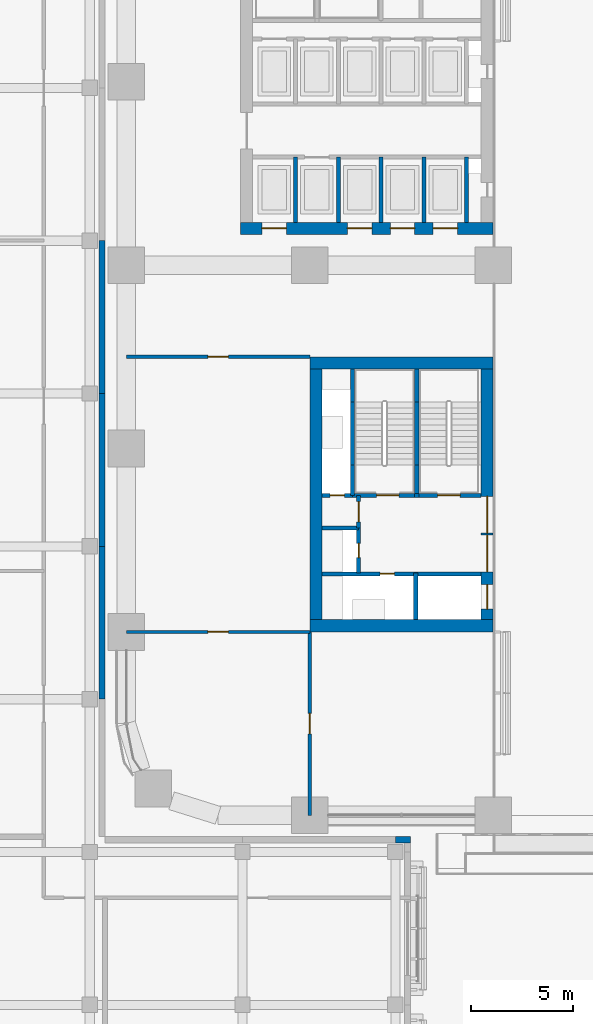
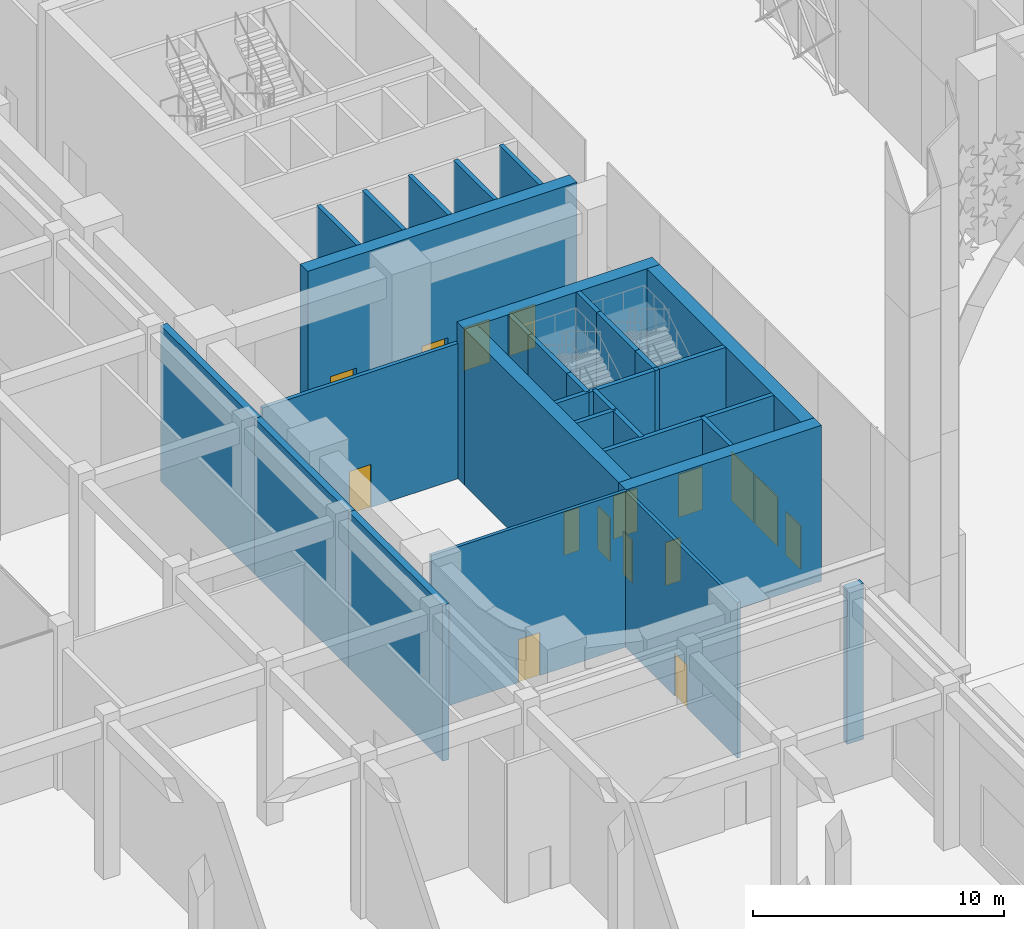
# One storey, part 31 of 64: 32 walls, 16 doors, 16 openings.
"""IFC4 building model written with IfcOpenShell, lengths in metres."""

from ifc_helpers import new_model, si_unit, direction, frame, frame_2d, origin, place, context, subcontext, project, spatial, rectangle, extrude, material, layer, layer_set, type_object, element, fill, save


model = new_model("IFC4")

# Units and contexts
model_context = context("Model", 3, precision=1e-05, world=origin(), true_north=direction((0.0, 1.0)))
body_context = subcontext(model_context, "Body", "Model", "MODEL_VIEW")
ifc_project = project(units=[si_unit("LENGTHUNIT", "METRE"), si_unit("AREAUNIT", "SQUARE_METRE"), si_unit("VOLUMEUNIT", "CUBIC_METRE"), si_unit("PLANEANGLEUNIT", "RADIAN"), si_unit("MASSUNIT", "GRAM", prefix="KILO")], contexts=[model_context])

# Site, building, storey
site_placement = place(None, origin())
site = spatial("IfcSite", under=ifc_project, at=site_placement, CompositionType="ELEMENT")
building_placement = place(site_placement, origin())
building = spatial("IfcBuilding", under=site, at=building_placement, Name="Tessera Arch", CompositionType="ELEMENT")
storey_placement = place(building_placement, origin())
storey = spatial("IfcBuildingStorey", under=building, at=storey_placement, Name="L00", CompositionType="ELEMENT", Elevation=0.0)

# Wall, opening, door
ifc_material_1 = material(Name="Gypsum board on steel stud", Category="steel")
ifc_layer_1 = layer(ifc_material_1, 0.125)
ifc_layer_set_1 = layer_set([ifc_layer_1], Name="Core partition 125 EI 60")
wall_type_1 = type_object("IfcWallType", Name="Core partition 125 EI 60", PredefinedType="PARTITIONING", material=ifc_layer_set_1)
wall_1_placement = place(storey_placement, frame((11.39990234375, 14.10009765625, 0.0), z_axis=(0.0, 0.0, 1.0), x_axis=(0.0, 1.0, 0.0)))
wall_1 = element("IfcWall", 1, at=wall_1_placement, inside=storey, type_object=wall_type_1, Name="L00 C4 partition wall 4", PredefinedType="PARTITIONING", context=body_context, shape_type="SweptSolid", body=[
    extrude(rectangle(XDim=1.599853515625, YDim=0.199951171875, at=frame_2d((0.7998046875, 0.0))), origin(), (0.0, 0.0, 1.0), 7.590087890625),
])
opening_1_placement = place(wall_1_placement, frame((0.300048828125, 0.0, 0.0)))
opening_1 = element("IfcOpeningElement", 2, at=opening_1_placement, cuts=wall_1, Name="Opening L00-C48", PredefinedType="OPENING", context=body_context, shape_type="SweptSolid", body=[
    extrude(rectangle(XDim=1.0, YDim=2.10009765625, at=frame_2d((0.5, 1.050048828125))), frame((0.0, 0.10986328125, 0.0), z_axis=(0.0, -1.0, 0.0), x_axis=(1.0, 0.0, 0.0)), (0.0, 0.0, 1.0), 0.219970703125),
])
ifc_material_2 = material(Name="Steel door leaf", Category="steel")
door_type_1 = type_object("IfcDoorType", Name="Corridor door FD60 1000 x 2100", OperationType="SINGLE_SWING_LEFT", PredefinedType="DOOR", material=ifc_material_2)
door_1_placement = place(opening_1_placement, origin())
door_1 = element("IfcDoor", 3, at=door_1_placement, inside=storey, type_object=door_type_1, Name="L00 C4 door 7 C48 type D12", OperationType="SINGLE_SWING_RIGHT", OverallHeight=2.10009765625, OverallWidth=1.0, PredefinedType="DOOR", context=body_context, shape_type="SweptSolid", body=[
    extrude(rectangle(XDim=1.0, YDim=2.10009765625, at=frame_2d((0.5, 1.050048828125))), frame((0.0, 0.02490234375, 0.0), z_axis=(0.0, -1.0, 0.0), x_axis=(1.0, 0.0, 0.0)), (0.0, 0.0, 1.0), 0.050048828125),
])
fill(opening_1, door_1)

# Wall, openings, doors
ifc_material_3 = material(Name="Concrete C70/85", Category="concrete")
ifc_layer_2 = layer(ifc_material_3, 0.60009765625)
ifc_layer_set_2 = layer_set([ifc_layer_2], Name="Core shell wall 600 C70-85")
wall_type_2 = type_object("IfcWallType", Name="Core shell wall 600 C70-85", PredefinedType="SHEAR", material=ifc_layer_set_2)
wall_2_placement = place(storey_placement, frame((5.60009765625, 28.800048828125, 0.0), z_axis=(0.0, 0.0, 1.0), x_axis=(1.0, 0.0, 0.0)))
wall_2 = element("IfcWall", 4, at=wall_2_placement, inside=storey, type_object=wall_type_2, Name="L00 C2 core wall S", PredefinedType="SHEAR", context=body_context, shape_type="SweptSolid", body=[
    extrude(rectangle(XDim=12.39990234375, YDim=0.60009765625, at=frame_2d((6.199951171875, 0.0))), origin(), (0.0, 0.0, 1.0), 7.590087890625),
])
opening_2_placement = place(wall_2_placement, frame((1.050048828125, 0.0, 0.0)))
opening_2 = element("IfcOpeningElement", 5, at=opening_2_placement, cuts=wall_2, Name="Opening L00-C17", PredefinedType="OPENING", context=body_context, shape_type="SweptSolid", body=[
    extrude(rectangle(XDim=1.199951171875, YDim=2.10009765625, at=frame_2d((0.60009765625, 1.050048828125))), frame((0.0, 0.31005859375, 0.0), z_axis=(0.0, -1.0, 0.0), x_axis=(1.0, 0.0, 0.0)), (0.0, 0.0, 1.0), 0.6201171875),
])
opening_3_placement = place(wall_2_placement, frame((5.25, 0.0, 0.0)))
opening_3 = element("IfcOpeningElement", 6, at=opening_3_placement, cuts=wall_2, Name="Opening L00-C19", PredefinedType="OPENING", context=body_context, shape_type="SweptSolid", body=[
    extrude(rectangle(XDim=1.199951171875, YDim=2.10009765625, at=frame_2d((0.60009765625, 1.050048828125))), frame((0.0, 0.31005859375, 0.0), z_axis=(0.0, -1.0, 0.0), x_axis=(1.0, 0.0, 0.0)), (0.0, 0.0, 1.0), 0.6201171875),
])
opening_4_placement = place(wall_2_placement, frame((7.35009765625, 0.0, 0.0)))
opening_4 = element("IfcOpeningElement", 7, at=opening_4_placement, cuts=wall_2, Name="Opening L00-C20", PredefinedType="OPENING", context=body_context, shape_type="SweptSolid", body=[
    extrude(rectangle(XDim=1.199951171875, YDim=2.10009765625, at=frame_2d((0.60009765625, 1.050048828125))), frame((0.0, 0.31005859375, 0.0), z_axis=(0.0, -1.0, 0.0), x_axis=(1.0, 0.0, 0.0)), (0.0, 0.0, 1.0), 0.6201171875),
])
opening_5_placement = place(wall_2_placement, frame((9.449951171875, 0.0, 0.0)))
opening_5 = element("IfcOpeningElement", 8, at=opening_5_placement, cuts=wall_2, Name="Opening L00-C25", PredefinedType="OPENING", context=body_context, shape_type="SweptSolid", body=[
    extrude(rectangle(XDim=1.199951171875, YDim=2.10009765625, at=frame_2d((0.60009765625, 1.050048828125))), frame((0.0, 0.31005859375, 0.0), z_axis=(0.0, -1.0, 0.0), x_axis=(1.0, 0.0, 0.0)), (0.0, 0.0, 1.0), 0.6201171875),
])
ifc_material_4 = material(Name="Stainless steel AISI 304", Category="steel")
door_type_2 = type_object("IfcDoorType", Name="Sliding landing door 1200 x 2100", OperationType="SLIDING_TO_LEFT", PredefinedType="DOOR", material=ifc_material_4)
door_2_placement = place(opening_2_placement, origin())
door_2 = element("IfcDoor", 9, at=door_2_placement, inside=storey, type_object=door_type_2, Name="L00 LR1 lift landing door C17 type LD", OperationType="SLIDING_TO_LEFT", OverallHeight=2.10009765625, OverallWidth=1.199951171875, PredefinedType="DOOR", context=body_context, shape_type="SweptSolid", body=[
    extrude(rectangle(XDim=1.199951171875, YDim=2.10009765625, at=frame_2d((0.60009765625, 1.050048828125))), frame((0.0, 0.02490234375, 0.0), z_axis=(0.0, -1.0, 0.0), x_axis=(1.0, 0.0, 0.0)), (0.0, 0.0, 1.0), 0.050048828125),
])
fill(opening_2, door_2)
door_3_placement = place(opening_3_placement, origin())
door_3 = element("IfcDoor", 10, at=door_3_placement, inside=storey, type_object=door_type_2, Name="L00 LR3 lift landing door C19 type LD", OperationType="SLIDING_TO_LEFT", OverallHeight=2.10009765625, OverallWidth=1.199951171875, PredefinedType="DOOR", context=body_context, shape_type="SweptSolid", body=[
    extrude(rectangle(XDim=1.199951171875, YDim=2.10009765625, at=frame_2d((0.60009765625, 1.050048828125))), frame((0.0, 0.02490234375, 0.0), z_axis=(0.0, -1.0, 0.0), x_axis=(1.0, 0.0, 0.0)), (0.0, 0.0, 1.0), 0.050048828125),
])
fill(opening_3, door_3)
door_4_placement = place(opening_4_placement, origin())
door_4 = element("IfcDoor", 11, at=door_4_placement, inside=storey, type_object=door_type_2, Name="L00 LR4 lift landing door C20 type LD", OperationType="SLIDING_TO_LEFT", OverallHeight=2.10009765625, OverallWidth=1.199951171875, PredefinedType="DOOR", context=body_context, shape_type="SweptSolid", body=[
    extrude(rectangle(XDim=1.199951171875, YDim=2.10009765625, at=frame_2d((0.60009765625, 1.050048828125))), frame((0.0, 0.02490234375, 0.0), z_axis=(0.0, -1.0, 0.0), x_axis=(1.0, 0.0, 0.0)), (0.0, 0.0, 1.0), 0.050048828125),
])
fill(opening_4, door_4)
door_5_placement = place(opening_5_placement, origin())
door_5 = element("IfcDoor", 12, at=door_5_placement, inside=storey, type_object=door_type_2, Name="L00 HR7 lift landing door C25 type LD", OperationType="SLIDING_TO_LEFT", OverallHeight=2.10009765625, OverallWidth=1.199951171875, PredefinedType="DOOR", context=body_context, shape_type="SweptSolid", body=[
    extrude(rectangle(XDim=1.199951171875, YDim=2.10009765625, at=frame_2d((0.60009765625, 1.050048828125))), frame((0.0, 0.02490234375, 0.0), z_axis=(0.0, -1.0, 0.0), x_axis=(1.0, 0.0, 0.0)), (0.0, 0.0, 1.0), 0.050048828125),
])
fill(opening_5, door_5)

# Walls
for number, where, z_axis, x_axis, name in (
    (13, (9.0, 9.300048828125, 0.0), (0.0, 0.0, 1.0), (1.0, 0.0, 0.0), "L00 C4 core wall S"),
    (14, (9.0, 22.199951171875, 0.0), (0.0, 0.0, 1.0), (1.0, 0.0, 0.0), "L00 C4 core wall N"),
):
    element("IfcWall", number, at=place(storey_placement, frame(where, z_axis=z_axis, x_axis=x_axis)), inside=storey, type_object=wall_type_2, Name=name, PredefinedType="SHEAR", context=body_context, shape_type="SweptSolid", body=[
        extrude(rectangle(XDim=9.0, YDim=0.60009765625, at=frame_2d((4.5, 0.0))), origin(), (0.0, 0.0, 1.0), 7.590087890625),
    ])
wall_3_placement = place(storey_placement, frame((9.300048828125, 9.60009765625, 0.0), z_axis=(0.0, 0.0, 1.0), x_axis=(0.0, 1.0, 0.0)))
element("IfcWall", 15, at=wall_3_placement, inside=storey, type_object=wall_type_2, Name="L00 C4 core wall W", PredefinedType="SHEAR", context=body_context, shape_type="SweptSolid", body=[
    extrude(rectangle(XDim=12.2998046875, YDim=0.60009765625, at=frame_2d((6.14990234375, 0.0))), origin(), (0.0, 0.0, 1.0), 7.590087890625),
])

# Wall, openings, doors
wall_4_placement = place(storey_placement, frame((17.699951171875, 9.60009765625, 0.0), z_axis=(0.0, 0.0, 1.0), x_axis=(0.0, 1.0, 0.0)))
wall_4 = element("IfcWall", 16, at=wall_4_placement, inside=storey, type_object=wall_type_2, Name="L00 C4 core wall E", PredefinedType="SHEAR", context=body_context, shape_type="SweptSolid", body=[
    extrude(rectangle(XDim=12.2998046875, YDim=0.60009765625, at=frame_2d((6.14990234375, 0.0))), origin(), (0.0, 0.0, 1.0), 7.590087890625),
])
opening_6_placement = place(wall_4_placement, frame((0.52490234375, 0.0, 0.0)))
opening_6 = element("IfcOpeningElement", 17, at=opening_6_placement, cuts=wall_4, Name="Opening L00-C42", PredefinedType="OPENING", context=body_context, shape_type="SweptSolid", body=[
    extrude(rectangle(XDim=1.199951171875, YDim=2.10009765625, at=frame_2d((0.60009765625, 1.050048828125))), frame((0.0, 0.31005859375, 0.0), z_axis=(0.0, -1.0, 0.0), x_axis=(1.0, 0.0, 0.0)), (0.0, 0.0, 1.0), 0.6201171875),
])
opening_7_placement = place(wall_4_placement, frame((4.150146484375, 0.0, 0.0), z_axis=(0.0, 0.0, 1.0), x_axis=(-1.0, 0.0, 0.0)))
opening_7 = element("IfcOpeningElement", 18, at=opening_7_placement, cuts=wall_4, Name="Opening L00-C73", PredefinedType="OPENING", context=body_context, shape_type="SweptSolid", body=[
    extrude(rectangle(XDim=1.800048828125, YDim=2.39990234375, at=frame_2d((0.89990234375, 1.199951171875))), frame((0.0, 0.31005859375, 0.0), z_axis=(0.0, -1.0, 0.0), x_axis=(1.0, 0.0, 0.0)), (0.0, 0.0, 1.0), 0.6201171875),
])
opening_8_placement = place(wall_4_placement, frame((6.050048828125, 0.0, 0.0), z_axis=(0.0, 0.0, 1.0), x_axis=(-1.0, 0.0, 0.0)))
opening_8 = element("IfcOpeningElement", 19, at=opening_8_placement, cuts=wall_4, Name="Opening L00-C74", PredefinedType="OPENING", context=body_context, shape_type="SweptSolid", body=[
    extrude(rectangle(XDim=1.800048828125, YDim=2.39990234375, at=frame_2d((0.89990234375, 1.199951171875))), frame((0.0, 0.31005859375, 0.0), z_axis=(0.0, -1.0, 0.0), x_axis=(1.0, 0.0, 0.0)), (0.0, 0.0, 1.0), 0.6201171875),
])
door_6_placement = place(opening_6_placement, origin())
door_6 = element("IfcDoor", 20, at=door_6_placement, inside=storey, type_object=door_type_2, Name="L00 SV3 lift landing door C42 type LD", OperationType="SLIDING_TO_LEFT", OverallHeight=2.10009765625, OverallWidth=1.199951171875, PredefinedType="DOOR", context=body_context, shape_type="SweptSolid", body=[
    extrude(rectangle(XDim=1.199951171875, YDim=2.10009765625, at=frame_2d((0.60009765625, 1.050048828125))), frame((0.0, 0.02490234375, 0.0), z_axis=(0.0, -1.0, 0.0), x_axis=(1.0, 0.0, 0.0)), (0.0, 0.0, 1.0), 0.050048828125),
])
fill(opening_6, door_6)
ifc_material_5 = material(Name="Steel door leaf", Category="steel")
door_type_3 = type_object("IfcDoorType", Name="Stair discharge door 1800 x 2400", OperationType="DOUBLE_DOOR_SINGLE_SWING", PredefinedType="DOOR", material=ifc_material_5)
door_7_placement = place(opening_7_placement, origin())
door_7 = element("IfcDoor", 21, at=door_7_placement, inside=storey, type_object=door_type_3, Name="Stair S4a exit C73 type D10", OperationType="DOUBLE_DOOR_SINGLE_SWING", OverallHeight=2.39990234375, OverallWidth=1.800048828125, PredefinedType="DOOR", context=body_context, shape_type="SweptSolid", body=[
    extrude(rectangle(XDim=1.800048828125, YDim=2.39990234375, at=frame_2d((0.89990234375, 1.199951171875))), frame((0.0, 0.02490234375, 0.0), z_axis=(0.0, -1.0, 0.0), x_axis=(1.0, 0.0, 0.0)), (0.0, 0.0, 1.0), 0.050048828125),
])
fill(opening_7, door_7)
door_8_placement = place(opening_8_placement, origin())
door_8 = element("IfcDoor", 22, at=door_8_placement, inside=storey, type_object=door_type_3, Name="Stair S4b exit C74 type D10", OperationType="DOUBLE_DOOR_SINGLE_SWING", OverallHeight=2.39990234375, OverallWidth=1.800048828125, PredefinedType="DOOR", context=body_context, shape_type="SweptSolid", body=[
    extrude(rectangle(XDim=1.800048828125, YDim=2.39990234375, at=frame_2d((0.89990234375, 1.199951171875))), frame((0.0, 0.02490234375, 0.0), z_axis=(0.0, -1.0, 0.0), x_axis=(1.0, 0.0, 0.0)), (0.0, 0.0, 1.0), 0.050048828125),
])
fill(opening_8, door_8)

# Wall, opening, door
ifc_material_6 = material(Name="Gypsum board on deep steel stud with mineral wool", Category="steel")
ifc_layer_3 = layer(ifc_material_6, 0.175048828125)
ifc_layer_set_3 = layer_set([ifc_layer_3], Name="Corridor wall 175 EI 60")
wall_type_3 = type_object("IfcWallType", Name="Corridor wall 175 EI 60", PredefinedType="PARTITIONING", material=ifc_layer_set_3)
wall_5_placement = place(storey_placement, frame((0.0, 22.5, 0.0), z_axis=(0.0, 0.0, 1.0), x_axis=(1.0, 0.0, 0.0)))
wall_5 = element("IfcWall", 23, at=wall_5_placement, inside=storey, type_object=wall_type_3, Name="L00 partition 7", PredefinedType="PARTITIONING", context=body_context, shape_type="SweptSolid", body=[
    extrude(rectangle(XDim=9.0, YDim=0.175048828125, at=frame_2d((4.5, 0.0))), origin(), (0.0, 0.0, 1.0), 6.590087890625),
])
opening_9_placement = place(wall_5_placement, frame((4.0, 0.0, 0.0)))
opening_9 = element("IfcOpeningElement", 24, at=opening_9_placement, cuts=wall_5, Name="Opening L00-D014", PredefinedType="OPENING", context=body_context, shape_type="SweptSolid", body=[
    extrude(rectangle(XDim=1.0, YDim=2.10009765625, at=frame_2d((0.5, 1.050048828125))), frame((0.0, 0.097412109375, 0.0), z_axis=(0.0, -1.0, 0.0), x_axis=(1.0, 0.0, 0.0)), (0.0, 0.0, 1.0), 0.195068359375),
])
ifc_material_7 = material(Name="Fire-rated door leaf")
door_type_4 = type_object("IfcDoorType", Name="Entrance door FD30S 1000 x 2100", OperationType="SINGLE_SWING_LEFT", PredefinedType="DOOR", material=ifc_material_7)
door_9_placement = place(opening_9_placement, origin())
door_9 = element("IfcDoor", 25, at=door_9_placement, inside=storey, type_object=door_type_4, Name="L00 door D014 type D03", OperationType="SINGLE_SWING_LEFT", OverallHeight=2.10009765625, OverallWidth=1.0, PredefinedType="DOOR", context=body_context, shape_type="SweptSolid", body=[
    extrude(rectangle(XDim=1.0, YDim=2.10009765625, at=frame_2d((0.5, 1.050048828125))), frame((0.0, 0.02490234375, 0.0), z_axis=(0.0, -1.0, 0.0), x_axis=(1.0, 0.0, 0.0)), (0.0, 0.0, 1.0), 0.050048828125),
])
fill(opening_9, door_9)

# Walls
ifc_material_8 = material(Name="Concrete C40/50", Category="concrete")
ifc_layer_4 = layer(ifc_material_8, 0.300048828125)
ifc_layer_set_4 = layer_set([ifc_layer_4], Name="Museum fire wall")
wall_type_4 = type_object("IfcWallType", Name="Museum fire wall", PredefinedType="SOLIDWALL", material=ifc_layer_set_4)
wall_6_placement = place(storey_placement, frame((13.949951171875, -1.199951171875, 0.0), z_axis=(0.0, 0.0, 1.0), x_axis=(-1.0, 0.0, 0.0)))
element("IfcWall", 26, at=wall_6_placement, inside=storey, type_object=wall_type_4, Name="Museum fire wall at the movement joint", PredefinedType="SOLIDWALL", context=body_context, shape_type="SweptSolid", body=[
    extrude(rectangle(XDim=0.75, YDim=0.300048828125, at=frame_2d((0.375, 0.0))), origin(), (0.0, 0.0, 1.0), 7.590087890625),
])
for number, where, z_axis, x_axis, name in (
    (27, (-1.199951171875, 5.699951171875, 0.0), (0.0, 0.0, 1.0), (0.0, 1.0, 0.0), "Museum fire wall at the movement joint"),
    (28, (-1.199951171875, 13.199951171875, 0.0), (0.0, 0.0, 1.0), (0.0, 1.0, 0.0), "Museum fire wall at the movement joint"),
    (29, (-1.199951171875, 20.699951171875, 0.0), (0.0, 0.0, 1.0), (0.0, 1.0, 0.0), "Museum fire wall at the movement joint"),
):
    element("IfcWall", number, at=place(storey_placement, frame(where, z_axis=z_axis, x_axis=x_axis)), inside=storey, type_object=wall_type_4, Name=name, PredefinedType="SOLIDWALL", context=body_context, shape_type="SweptSolid", body=[
        extrude(rectangle(XDim=7.5, YDim=0.300048828125, at=frame_2d((3.75, 0.0))), origin(), (0.0, 0.0, 1.0), 7.590087890625),
    ])

# Wall, opening, door
ifc_material_9 = material(Name="Gypsum board on steel stud", Category="steel")
ifc_layer_5 = layer(ifc_material_9, 0.14990234375)
ifc_layer_set_5 = layer_set([ifc_layer_5], Name="Partition 150 EI 30")
wall_type_5 = type_object("IfcWallType", Name="Partition 150 EI 30", PredefinedType="PARTITIONING", material=ifc_layer_set_5)
wall_7_placement = place(storey_placement, frame((0.0, 9.0, 0.0), z_axis=(0.0, 0.0, 1.0), x_axis=(1.0, 0.0, 0.0)))
wall_7 = element("IfcWall", 30, at=wall_7_placement, inside=storey, type_object=wall_type_5, Name="L00 partition 32", PredefinedType="PARTITIONING", context=body_context, shape_type="SweptSolid", body=[
    extrude(rectangle(XDim=9.0, YDim=0.14990234375, at=frame_2d((4.5, 0.0))), origin(), (0.0, 0.0, 1.0), 7.590087890625),
])
opening_10_placement = place(wall_7_placement, frame((4.0, 0.0, 0.0)))
opening_10 = element("IfcOpeningElement", 31, at=opening_10_placement, cuts=wall_7, Name="Opening L00-D027", PredefinedType="OPENING", context=body_context, shape_type="SweptSolid", body=[
    extrude(rectangle(XDim=1.0, YDim=2.10009765625, at=frame_2d((0.5, 1.050048828125))), frame((0.0, 0.0849609375, 0.0), z_axis=(0.0, -1.0, 0.0), x_axis=(1.0, 0.0, 0.0)), (0.0, 0.0, 1.0), 0.169921875),
])
door_10_placement = place(opening_10_placement, origin())
door_10 = element("IfcDoor", 32, at=door_10_placement, inside=storey, type_object=door_type_4, Name="L00 door D027 type D03", OperationType="SINGLE_SWING_LEFT", OverallHeight=2.10009765625, OverallWidth=1.0, PredefinedType="DOOR", context=body_context, shape_type="SweptSolid", body=[
    extrude(rectangle(XDim=1.0, YDim=2.10009765625, at=frame_2d((0.5, 1.050048828125))), frame((0.0, 0.02490234375, 0.0), z_axis=(0.0, -1.0, 0.0), x_axis=(1.0, 0.0, 0.0)), (0.0, 0.0, 1.0), 0.050048828125),
])
fill(opening_10, door_10)

wall_8_placement = place(storey_placement, frame((9.0, 0.0, 0.0), z_axis=(0.0, 0.0, 1.0), x_axis=(0.0, 1.0, 0.0)))
wall_8 = element("IfcWall", 33, at=wall_8_placement, inside=storey, type_object=wall_type_5, Name="L00 partition 33", PredefinedType="PARTITIONING", context=body_context, shape_type="SweptSolid", body=[
    extrude(rectangle(XDim=9.0, YDim=0.14990234375, at=frame_2d((4.5, 0.0))), origin(), (0.0, 0.0, 1.0), 7.590087890625),
])
opening_11_placement = place(wall_8_placement, frame((4.0, 0.0, 0.0)))
opening_11 = element("IfcOpeningElement", 34, at=opening_11_placement, cuts=wall_8, Name="Opening L00-D028", PredefinedType="OPENING", context=body_context, shape_type="SweptSolid", body=[
    extrude(rectangle(XDim=1.0, YDim=2.10009765625, at=frame_2d((0.5, 1.050048828125))), frame((0.0, 0.0849609375, 0.0), z_axis=(0.0, -1.0, 0.0), x_axis=(1.0, 0.0, 0.0)), (0.0, 0.0, 1.0), 0.169921875),
])
door_11_placement = place(opening_11_placement, origin())
door_11 = element("IfcDoor", 35, at=door_11_placement, inside=storey, type_object=door_type_4, Name="L00 door D028 type D03", OperationType="SINGLE_SWING_LEFT", OverallHeight=2.10009765625, OverallWidth=1.0, PredefinedType="DOOR", context=body_context, shape_type="SweptSolid", body=[
    extrude(rectangle(XDim=1.0, YDim=2.10009765625, at=frame_2d((0.5, 1.050048828125))), frame((0.0, 0.02490234375, 0.0), z_axis=(0.0, -1.0, 0.0), x_axis=(1.0, 0.0, 0.0)), (0.0, 0.0, 1.0), 0.050048828125),
])
fill(opening_11, door_11)

# Walls
ifc_material_10 = material(Name="Concrete C40/50", Category="concrete")
ifc_layer_6 = layer(ifc_material_10, 0.199951171875)
ifc_layer_set_6 = layer_set([ifc_layer_6], Name="Shaft wall 200 EI 120")
wall_type_6 = type_object("IfcWallType", Name="Shaft wall 200 EI 120", PredefinedType="SOLIDWALL", material=ifc_layer_set_6)
for number, where, z_axis, x_axis, name in (
    (36, (8.300048828125, 29.10009765625, 0.0), (0.0, 0.0, 1.0), (0.0, 1.0, 0.0), "L00 C2 shaft wall 1"),
    (37, (10.39990234375, 29.10009765625, 0.0), (0.0, 0.0, 1.0), (0.0, 1.0, 0.0), "L00 C2 shaft wall 6"),
    (38, (12.5, 29.10009765625, 0.0), (0.0, 0.0, 1.0), (0.0, 1.0, 0.0), "L00 C2 shaft wall 8"),
    (39, (14.60009765625, 29.10009765625, 0.0), (0.0, 0.0, 1.0), (0.0, 1.0, 0.0), "L00 C2 shaft wall 14"),
    (40, (16.699951171875, 29.10009765625, 0.0), (0.0, 0.0, 1.0), (0.0, 1.0, 0.0), "L00 C2 shaft wall 16"),
):
    element("IfcWall", number, at=place(storey_placement, frame(where, z_axis=z_axis, x_axis=x_axis)), inside=storey, type_object=wall_type_6, Name=name, PredefinedType="SOLIDWALL", context=body_context, shape_type="SweptSolid", body=[
        extrude(rectangle(XDim=3.199951171875, YDim=0.199951171875, at=frame_2d((1.60009765625, 0.0))), origin(), (0.0, 0.0, 1.0), 7.590087890625),
    ])

# Wall, opening, door
wall_9_placement = place(storey_placement, frame((11.39990234375, 11.89990234375, 0.0), z_axis=(0.0, 0.0, 1.0), x_axis=(0.0, 1.0, 0.0)))
wall_9 = element("IfcWall", 41, at=wall_9_placement, inside=storey, type_object=wall_type_6, Name="L00 C4 shaft wall 5", PredefinedType="SOLIDWALL", context=body_context, shape_type="SweptSolid", body=[
    extrude(rectangle(XDim=2.2001953125, YDim=0.199951171875, at=frame_2d((1.10009765625, 0.0))), origin(), (0.0, 0.0, 1.0), 7.590087890625),
])
opening_12_placement = place(wall_9_placement, frame((0.75, 0.0, 0.0)))
opening_12 = element("IfcOpeningElement", 42, at=opening_12_placement, cuts=wall_9, Name="Opening L00-C46", PredefinedType="OPENING", context=body_context, shape_type="SweptSolid", body=[
    extrude(rectangle(XDim=0.699951171875, YDim=2.10009765625, at=frame_2d((0.35009765625, 1.050048828125))), frame((0.0, 0.10986328125, 0.0), z_axis=(0.0, -1.0, 0.0), x_axis=(1.0, 0.0, 0.0)), (0.0, 0.0, 1.0), 0.219970703125),
])
ifc_material_11 = material(Name="Steel door leaf", Category="steel")
door_type_5 = type_object("IfcDoorType", Name="Service shaft door FD60 700 x 2100", OperationType="SINGLE_SWING_LEFT", PredefinedType="DOOR", material=ifc_material_11)
door_12_placement = place(opening_12_placement, origin())
door_12 = element("IfcDoor", 43, at=door_12_placement, inside=storey, type_object=door_type_5, Name="L00 C4 door 5 C46 type D07", OperationType="SINGLE_SWING_RIGHT", OverallHeight=2.10009765625, OverallWidth=0.699951171875, PredefinedType="DOOR", context=body_context, shape_type="SweptSolid", body=[
    extrude(rectangle(XDim=0.699951171875, YDim=2.10009765625, at=frame_2d((0.35009765625, 1.050048828125))), frame((0.0, 0.02490234375, 0.0), z_axis=(0.0, -1.0, 0.0), x_axis=(1.0, 0.0, 0.0)), (0.0, 0.0, 1.0), 0.050048828125),
])
fill(opening_12, door_12)

# Wall
wall_10_placement = place(storey_placement, frame((14.199951171875, 9.60009765625, 0.0), z_axis=(0.0, 0.0, 1.0), x_axis=(0.0, 1.0, 0.0)))
element("IfcWall", 44, at=wall_10_placement, inside=storey, type_object=wall_type_6, Name="L00 C4 shaft wall 6", PredefinedType="SOLIDWALL", context=body_context, shape_type="SweptSolid", body=[
    extrude(rectangle(XDim=2.2998046875, YDim=0.199951171875, at=frame_2d((1.14990234375, 0.0))), origin(), (0.0, 0.0, 1.0), 7.590087890625),
])

# Wall, opening, door
wall_11_placement = place(storey_placement, frame((9.60009765625, 11.85009765625, 0.0), z_axis=(0.0, 0.0, 1.0), x_axis=(1.0, 0.0, 0.0)))
wall_11 = element("IfcWall", 45, at=wall_11_placement, inside=storey, type_object=wall_type_6, Name="L00 C4 shaft wall 10", PredefinedType="SOLIDWALL", context=body_context, shape_type="SweptSolid", body=[
    extrude(rectangle(XDim=7.7998046875, YDim=0.199951171875, at=frame_2d((3.89990234375, 0.0))), origin(), (0.0, 0.0, 1.0), 7.590087890625),
])
opening_13_placement = place(wall_11_placement, frame((2.85009765625, 0.0, 0.0)))
opening_13 = element("IfcOpeningElement", 46, at=opening_13_placement, cuts=wall_11, Name="Opening L00-C47", PredefinedType="OPENING", context=body_context, shape_type="SweptSolid", body=[
    extrude(rectangle(XDim=0.699951171875, YDim=2.10009765625, at=frame_2d((0.35009765625, 1.050048828125))), frame((0.0, 0.10986328125, 0.0), z_axis=(0.0, -1.0, 0.0), x_axis=(1.0, 0.0, 0.0)), (0.0, 0.0, 1.0), 0.219970703125),
])
door_13_placement = place(opening_13_placement, origin())
door_13 = element("IfcDoor", 47, at=door_13_placement, inside=storey, type_object=door_type_5, Name="L00 C4 door 6 C47 type D07", OperationType="SINGLE_SWING_LEFT", OverallHeight=2.10009765625, OverallWidth=0.699951171875, PredefinedType="DOOR", context=body_context, shape_type="SweptSolid", body=[
    extrude(rectangle(XDim=0.699951171875, YDim=2.10009765625, at=frame_2d((0.35009765625, 1.050048828125))), frame((0.0, 0.02490234375, 0.0), z_axis=(0.0, -1.0, 0.0), x_axis=(1.0, 0.0, 0.0)), (0.0, 0.0, 1.0), 0.050048828125),
])
fill(opening_13, door_13)

# Wall
wall_12_placement = place(storey_placement, frame((9.60009765625, 14.10009765625, 0.0), z_axis=(0.0, 0.0, 1.0), x_axis=(1.0, 0.0, 0.0)))
element("IfcWall", 48, at=wall_12_placement, inside=storey, type_object=wall_type_6, Name="L00 C4 shaft wall 11", PredefinedType="SOLIDWALL", context=body_context, shape_type="SweptSolid", body=[
    extrude(rectangle(XDim=1.7998046875, YDim=0.199951171875, at=frame_2d((0.89990234375, 0.0))), origin(), (0.0, 0.0, 1.0), 7.590087890625),
])

# Wall, opening, door
wall_13_placement = place(storey_placement, frame((9.60009765625, 15.699951171875, 0.0), z_axis=(0.0, 0.0, 1.0), x_axis=(1.0, 0.0, 0.0)))
wall_13 = element("IfcWall", 49, at=wall_13_placement, inside=storey, type_object=wall_type_6, Name="L00 C4 shaft wall 12", PredefinedType="SOLIDWALL", context=body_context, shape_type="SweptSolid", body=[
    extrude(rectangle(XDim=1.5, YDim=0.199951171875, at=frame_2d((0.75, 0.0))), origin(), (0.0, 0.0, 1.0), 7.590087890625),
])
opening_14_placement = place(wall_13_placement, frame((0.39990234375, 0.0, 0.0)))
opening_14 = element("IfcOpeningElement", 50, at=opening_14_placement, cuts=wall_13, Name="Opening L00-C45", PredefinedType="OPENING", context=body_context, shape_type="SweptSolid", body=[
    extrude(rectangle(XDim=0.699951171875, YDim=2.10009765625, at=frame_2d((0.35009765625, 1.050048828125))), frame((0.0, 0.10986328125, 0.0), z_axis=(0.0, -1.0, 0.0), x_axis=(1.0, 0.0, 0.0)), (0.0, 0.0, 1.0), 0.219970703125),
])
door_14_placement = place(opening_14_placement, origin())
door_14 = element("IfcDoor", 51, at=door_14_placement, inside=storey, type_object=door_type_5, Name="L00 C4 door 4 C45 type D07", OperationType="SINGLE_SWING_LEFT", OverallHeight=2.10009765625, OverallWidth=0.699951171875, PredefinedType="DOOR", context=body_context, shape_type="SweptSolid", body=[
    extrude(rectangle(XDim=0.699951171875, YDim=2.10009765625, at=frame_2d((0.35009765625, 1.050048828125))), frame((0.0, 0.02490234375, 0.0), z_axis=(0.0, -1.0, 0.0), x_axis=(1.0, 0.0, 0.0)), (0.0, 0.0, 1.0), 0.050048828125),
])
fill(opening_14, door_14)

# Walls
ifc_material_12 = material(Name="Concrete C40/50", Category="concrete")
ifc_layer_7 = layer(ifc_material_12, 0.199951171875)
ifc_layer_set_7 = layer_set([ifc_layer_7], Name="Stair well wall 200 REI 180")
wall_type_7 = type_object("IfcWallType", Name="Stair well wall 200 REI 180", PredefinedType="SOLIDWALL", material=ifc_layer_set_7)
wall_14_placement = place(storey_placement, frame((11.10009765625, 15.699951171875, 0.0), z_axis=(0.0, 0.0, 1.0), x_axis=(0.0, 1.0, 0.0)))
element("IfcWall", 52, at=wall_14_placement, inside=storey, type_object=wall_type_7, Name="L00 C4 shaft wall 1", PredefinedType="SOLIDWALL", context=body_context, shape_type="SweptSolid", body=[
    extrude(rectangle(XDim=1.5, YDim=0.199951171875, at=frame_2d((0.75, 0.0))), origin(), (0.0, 0.0, 1.0), 7.590087890625),
])
wall_15_placement = place(storey_placement, frame((11.10009765625, 17.199951171875, 0.0), z_axis=(0.0, 0.0, 1.0), x_axis=(0.0, 1.0, 0.0)))
element("IfcWall", 53, at=wall_15_placement, inside=storey, type_object=wall_type_7, Name="L00 C4 shaft wall 2", PredefinedType="SOLIDWALL", context=body_context, shape_type="SweptSolid", body=[
    extrude(rectangle(XDim=3.080078125, YDim=0.199951171875, at=frame_2d((1.5400390625, 0.0))), origin(), (0.0, 0.0, 1.0), 7.590087890625),
])
wall_16_placement = place(storey_placement, frame((11.10009765625, 20.280029296875, 0.0), z_axis=(0.0, 0.0, 1.0), x_axis=(0.0, 1.0, 0.0)))
element("IfcWall", 54, at=wall_16_placement, inside=storey, type_object=wall_type_7, Name="L00 C4 shaft wall 3", PredefinedType="SOLIDWALL", context=body_context, shape_type="SweptSolid", body=[
    extrude(rectangle(XDim=1.619873046875, YDim=0.199951171875, at=frame_2d((0.81005859375, 0.0))), origin(), (0.0, 0.0, 1.0), 7.590087890625),
])
wall_17_placement = place(storey_placement, frame((14.25, 15.699951171875, 0.0), z_axis=(0.0, 0.0, 1.0), x_axis=(0.0, 1.0, 0.0)))
element("IfcWall", 55, at=wall_17_placement, inside=storey, type_object=wall_type_7, Name="L00 C4 shaft wall 7", PredefinedType="SOLIDWALL", context=body_context, shape_type="SweptSolid", body=[
    extrude(rectangle(XDim=1.5, YDim=0.199951171875, at=frame_2d((0.75, 0.0))), origin(), (0.0, 0.0, 1.0), 7.590087890625),
])
wall_18_placement = place(storey_placement, frame((14.25, 17.199951171875, 0.0), z_axis=(0.0, 0.0, 1.0), x_axis=(0.0, 1.0, 0.0)))
element("IfcWall", 56, at=wall_18_placement, inside=storey, type_object=wall_type_7, Name="L00 C4 shaft wall 8", PredefinedType="SOLIDWALL", context=body_context, shape_type="SweptSolid", body=[
    extrude(rectangle(XDim=3.080078125, YDim=0.199951171875, at=frame_2d((1.5400390625, 0.0))), origin(), (0.0, 0.0, 1.0), 7.590087890625),
])
wall_19_placement = place(storey_placement, frame((14.25, 20.280029296875, 0.0), z_axis=(0.0, 0.0, 1.0), x_axis=(0.0, 1.0, 0.0)))
element("IfcWall", 57, at=wall_19_placement, inside=storey, type_object=wall_type_7, Name="L00 C4 shaft wall 9", PredefinedType="SOLIDWALL", context=body_context, shape_type="SweptSolid", body=[
    extrude(rectangle(XDim=1.619873046875, YDim=0.199951171875, at=frame_2d((0.81005859375, 0.0))), origin(), (0.0, 0.0, 1.0), 7.590087890625),
])

# Wall, opening, door
wall_20_placement = place(storey_placement, frame((11.10009765625, 15.699951171875, 0.0), z_axis=(0.0, 0.0, 1.0), x_axis=(1.0, 0.0, 0.0)))
wall_20 = element("IfcWall", 58, at=wall_20_placement, inside=storey, type_object=wall_type_7, Name="L00 C4 shaft wall 13", PredefinedType="SOLIDWALL", context=body_context, shape_type="SweptSolid", body=[
    extrude(rectangle(XDim=3.0498046875, YDim=0.199951171875, at=frame_2d((1.52490234375, 0.0))), origin(), (0.0, 0.0, 1.0), 7.590087890625),
])
opening_15_placement = place(wall_20_placement, frame((1.175048828125, 0.0, 0.0)))
opening_15 = element("IfcOpeningElement", 59, at=opening_15_placement, cuts=wall_20, Name="Opening L00-C44", PredefinedType="OPENING", context=body_context, shape_type="SweptSolid", body=[
    extrude(rectangle(XDim=1.10009765625, YDim=2.10009765625, at=frame_2d((0.550048828125, 1.050048828125))), frame((0.0, 0.10986328125, 0.0), z_axis=(0.0, -1.0, 0.0), x_axis=(1.0, 0.0, 0.0)), (0.0, 0.0, 1.0), 0.219970703125),
])
ifc_material_13 = material(Name="Steel door leaf", Category="steel")
door_type_6 = type_object("IfcDoorType", Name="Stair door FD60 1100 x 2100", OperationType="SINGLE_SWING_LEFT", PredefinedType="DOOR", material=ifc_material_13)
door_15_placement = place(opening_15_placement, origin())
door_15 = element("IfcDoor", 60, at=door_15_placement, inside=storey, type_object=door_type_6, Name="L00 C4 door 3 C44 type D05", OperationType="SINGLE_SWING_RIGHT", OverallHeight=2.10009765625, OverallWidth=1.10009765625, PredefinedType="DOOR", context=body_context, shape_type="SweptSolid", body=[
    extrude(rectangle(XDim=1.10009765625, YDim=2.10009765625, at=frame_2d((0.550048828125, 1.050048828125))), frame((0.0, 0.02490234375, 0.0), z_axis=(0.0, -1.0, 0.0), x_axis=(1.0, 0.0, 0.0)), (0.0, 0.0, 1.0), 0.050048828125),
])
fill(opening_15, door_15)

# Wall
wall_21_placement = place(storey_placement, frame((14.14990234375, 15.699951171875, 0.0), z_axis=(0.0, 0.0, 1.0), x_axis=(1.0, 0.0, 0.0)))
element("IfcWall", 61, at=wall_21_placement, inside=storey, type_object=wall_type_7, Name="L00 C4 shaft wall 14", PredefinedType="SOLIDWALL", context=body_context, shape_type="SweptSolid", body=[
    extrude(rectangle(XDim=0.2001953125, YDim=0.199951171875, at=frame_2d((0.10009765625, 0.0))), origin(), (0.0, 0.0, 1.0), 7.590087890625),
])

# Wall, opening, door
wall_22_placement = place(storey_placement, frame((14.35009765625, 15.699951171875, 0.0), z_axis=(0.0, 0.0, 1.0), x_axis=(1.0, 0.0, 0.0)))
wall_22 = element("IfcWall", 62, at=wall_22_placement, inside=storey, type_object=wall_type_7, Name="L00 C4 shaft wall 15", PredefinedType="SOLIDWALL", context=body_context, shape_type="SweptSolid", body=[
    extrude(rectangle(XDim=3.0498046875, YDim=0.199951171875, at=frame_2d((1.52490234375, 0.0))), origin(), (0.0, 0.0, 1.0), 7.590087890625),
])
opening_16_placement = place(wall_22_placement, frame((0.925048828125, 0.0, 0.0)))
opening_16 = element("IfcOpeningElement", 63, at=opening_16_placement, cuts=wall_22, Name="Opening L00-C43", PredefinedType="OPENING", context=body_context, shape_type="SweptSolid", body=[
    extrude(rectangle(XDim=1.10009765625, YDim=2.10009765625, at=frame_2d((0.550048828125, 1.050048828125))), frame((0.0, 0.10986328125, 0.0), z_axis=(0.0, -1.0, 0.0), x_axis=(1.0, 0.0, 0.0)), (0.0, 0.0, 1.0), 0.219970703125),
])
door_16_placement = place(opening_16_placement, origin())
door_16 = element("IfcDoor", 64, at=door_16_placement, inside=storey, type_object=door_type_6, Name="L00 C4 door 2 C43 type D05", OperationType="SINGLE_SWING_LEFT", OverallHeight=2.10009765625, OverallWidth=1.10009765625, PredefinedType="DOOR", context=body_context, shape_type="SweptSolid", body=[
    extrude(rectangle(XDim=1.10009765625, YDim=2.10009765625, at=frame_2d((0.550048828125, 1.050048828125))), frame((0.0, 0.02490234375, 0.0), z_axis=(0.0, -1.0, 0.0), x_axis=(1.0, 0.0, 0.0)), (0.0, 0.0, 1.0), 0.050048828125),
])
fill(opening_16, door_16)

save(model, "model.ifc")
